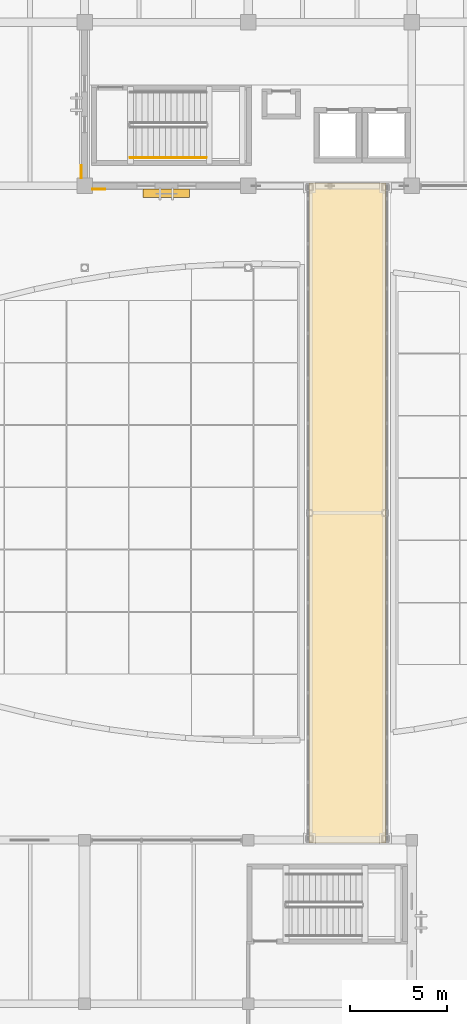
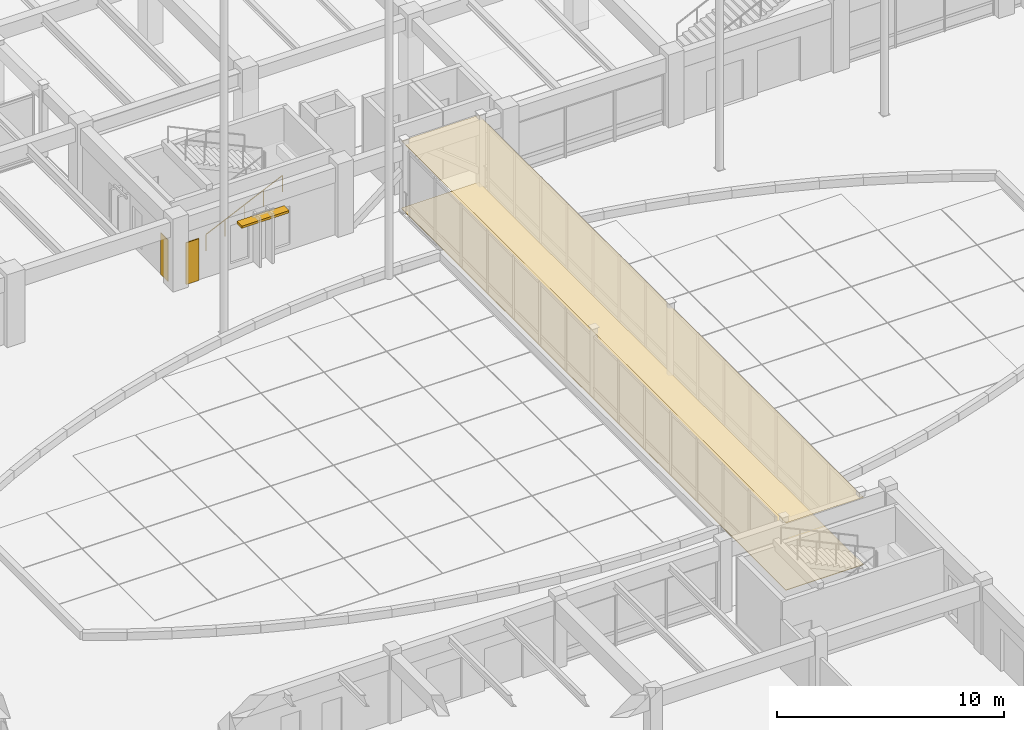
# One storey, part 121 of 135: 4 coverings, 1 railing, 1 shading device.
"""IFC4 building model written with IfcOpenShell, lengths in metres."""

from ifc_helpers import new_model, si_unit, direction, frame, origin, origin_2d, place, context, subcontext, project, spatial, polyline, rectangle, circle, outline, extrude, material, layer, layer_set, type_object, element, save


model = new_model("IFC4")

# Units and contexts
model_context = context("Model", 3, precision=1e-05, world=origin(), true_north=direction((0.0, 1.0)))
body_context = subcontext(model_context, "Body", "Model", "MODEL_VIEW")
ifc_project = project(units=[si_unit("LENGTHUNIT", "METRE"), si_unit("AREAUNIT", "SQUARE_METRE"), si_unit("VOLUMEUNIT", "CUBIC_METRE"), si_unit("PLANEANGLEUNIT", "RADIAN"), si_unit("MASSUNIT", "GRAM", prefix="KILO")], contexts=[model_context])

# Site, building, storey
site_placement = place(None, origin())
site = spatial("IfcSite", under=ifc_project, at=site_placement, CompositionType="ELEMENT")
building_placement = place(site_placement, origin())
building = spatial("IfcBuilding", under=site, at=building_placement, Name="Cumbredor Promenade Congress Hotel", CompositionType="ELEMENT")
storey_placement = place(building_placement, origin())
storey = spatial("IfcBuildingStorey", under=building, at=storey_placement, Name="L00", CompositionType="ELEMENT", Elevation=0.0)

# Coverings
ifc_material_1 = material(Name="Acoustic mineral-fiber and gypsum ceiling")
ifc_layer_1 = layer(ifc_material_1, 0.01806640625, Name="Acoustic mineral-fiber and gypsum ceiling")
ifc_layer_set_1 = layer_set([ifc_layer_1], Name="Acoustic mineral-fiber and gypsum ceiling")
covering_type_1 = type_object("IfcCoveringType", Name="Acoustic Perforated Gypsum Ceiling CLG-01 18mm", PredefinedType="CEILING", material=ifc_layer_set_1)
covering_1_placement = place(storey_placement, frame((0.0, 0.0, 3.6220703125)))
element("IfcCovering", 1, at=covering_1_placement, inside=storey, type_object=covering_type_1, Name="L00 Central Reflecting-Pool Promenade Bridge Concourse Acoustic Ceiling", PredefinedType="CEILING", context=body_context, shape_type="SweptSolid", body=[
    extrude(outline(polyline([(103.929931640625, 50.260009765625), (103.929931640625, 84.139892578125), (107.8701171875, 84.139892578125), (107.8701171875, 50.260009765625), (103.929931640625, 50.260009765625)])), origin(), (0.0, 0.0, 1.0), 0.017822265625),
])
ifc_material_2 = material(Name="Precast concrete C40/50", Category="concrete")
ifc_layer_2 = layer(ifc_material_2, 0.044921875, Name="Precast concrete C40/50", Category="concrete")
ifc_layer_set_2 = layer_set([ifc_layer_2], Name="Precast concrete C40/50")
covering_type_2 = type_object("IfcCoveringType", Name="Board-Formed Architectural Cladding Panel 45mm", PredefinedType="CLADDING", material=ifc_layer_set_2)
covering_2_placement = place(storey_placement, origin())
element("IfcCovering", 2, at=covering_2_placement, inside=storey, type_object=covering_type_2, Name="L00 Facade Stone Cladding Pier 026", PredefinedType="CLADDING", context=body_context, shape_type="SweptSolid", body=[
    extrude(outline(polyline([(92.801025390625, 83.85009765625), (93.450927734375, 83.85009765625), (93.450927734375, 83.804931640625), (92.801025390625, 83.804931640625), (92.801025390625, 83.85009765625)])), origin(), (0.0, 0.0, 1.0), 2.25),
])

# Shading device
ifc_material_3 = material(Name="Thermally broken anodized aluminium", Category="aluminium")
shading_device_type = type_object("IfcShadingDeviceType", Name="Horizontal Bronze Jalousie Louvre JAL-01", PredefinedType="JALOUSIE", material=ifc_material_3)
shading_device_placement = place(storey_placement, frame((96.60009765625, 83.625, 2.35986328125), z_axis=(0.0, 0.0, 1.0), x_axis=(1.0, 0.0, 0.0)))
element("IfcShadingDevice", 3, at=shading_device_placement, inside=storey, type_object=shading_device_type, Name="L00 Horizontal Bronze Jalousie 014", PredefinedType="JALOUSIE", context=body_context, shape_type="SweptSolid", body=[
    extrude(rectangle(XDim=2.39990234375, YDim=0.449951171875, at=origin_2d()), origin(), (0.0, 0.0, 1.0), 0.1201171875),
])

# Covering
ifc_material_4 = material(Name="Porcelain stoneware tile", Category="masonry")
ifc_layer_3 = layer(ifc_material_4, 0.030029296875, Name="Porcelain stoneware tile", Category="masonry")
ifc_layer_set_3 = layer_set([ifc_layer_3], Name="Porcelain stoneware tile")
covering_type_3 = type_object("IfcCoveringType", Name="Porcelain Stoneware Flooring FLR-03 30mm", PredefinedType="FLOORING", material=ifc_layer_set_3)
covering_3_placement = place(storey_placement, origin())
element("IfcCovering", 4, at=covering_3_placement, inside=storey, type_object=covering_type_3, Name="L00 Central Reflecting-Pool Promenade Bridge Concourse Porcelain Flooring", PredefinedType="FLOORING", context=body_context, shape_type="SweptSolid", body=[
    extrude(outline(polyline([(103.929931640625, 50.260009765625), (103.929931640625, 84.139892578125), (107.8701171875, 84.139892578125), (107.8701171875, 50.260009765625), (103.929931640625, 50.260009765625)])), origin(), (0.0, 0.0, 1.0), 0.030029296875),
])

# Railing
ifc_material_5 = material(Name="Brushed stainless steel", Category="steel")
railing_type = type_object("IfcRailingType", Name="Stair Pitch Handrail HR-900", PredefinedType="HANDRAIL", material=ifc_material_5)
railing_placement = place(storey_placement, frame((94.75, 85.449951171875, 0.139892578125)))
element("IfcRailing", 5, at=railing_placement, inside=storey, type_object=railing_type, Name="L00 ST-13 stair handrail 1", PredefinedType="HANDRAIL", context=body_context, shape_type="SweptSolid", body=[
    extrude(circle(Radius=0.02392578125, at=origin_2d()), frame((0.0, 0.0, 0.8759765625), z_axis=(0.906172994947, 0.0, 0.42290720404), x_axis=(0.0, 1.0, 0.0)), (0.0, 0.0, 1.0), 4.3037109375),
    extrude(circle(Radius=0.02099609375, at=origin_2d()), origin(), (0.0, 0.0, 1.0), 0.851806640625),
    extrude(circle(Radius=0.02099609375, at=origin_2d()), frame((0.97509765625, 0.0, 0.455078125)), (0.0, 0.0, 1.0), 0.851806640625),
    extrude(circle(Radius=0.02099609375, at=origin_2d()), frame((1.949951171875, 0.0, 0.91015625)), (0.0, 0.0, 1.0), 0.851806640625),
    extrude(circle(Radius=0.02099609375, at=origin_2d()), frame((2.9248046875, 0.0, 1.364990234375)), (0.0, 0.0, 1.0), 0.851806640625),
    extrude(circle(Radius=0.02099609375, at=origin_2d()), frame((3.89990234375, 0.0, 1.820068359375)), (0.0, 0.0, 1.0), 0.851806640625),
])

# Covering
ifc_material_6 = material(Name="Volcanic andesite ashlar cladding", Category="masonry")
ifc_layer_4 = layer(ifc_material_6, 0.034912109375, Name="Volcanic andesite ashlar cladding", Category="masonry")
ifc_layer_set_4 = layer_set([ifc_layer_4], Name="Volcanic andesite ashlar cladding")
covering_type_4 = type_object("IfcCoveringType", Name="Volcanic Andesite Ashlar Rainscreen Cladding 35mm", PredefinedType="CLADDING", material=ifc_layer_set_4)
covering_4_placement = place(storey_placement, origin())
element("IfcCovering", 6, at=covering_4_placement, inside=storey, type_object=covering_type_4, Name="L00 Facade Stone Cladding Pier 031", PredefinedType="CLADDING", context=body_context, shape_type="SweptSolid", body=[
    extrude(outline(polyline([(92.25, 84.40087890625), (92.25, 85.051025390625), (92.215087890625, 85.051025390625), (92.215087890625, 84.40087890625), (92.25, 84.40087890625)])), origin(), (0.0, 0.0, 1.0), 2.25),
])

save(model, "model.ifc")
